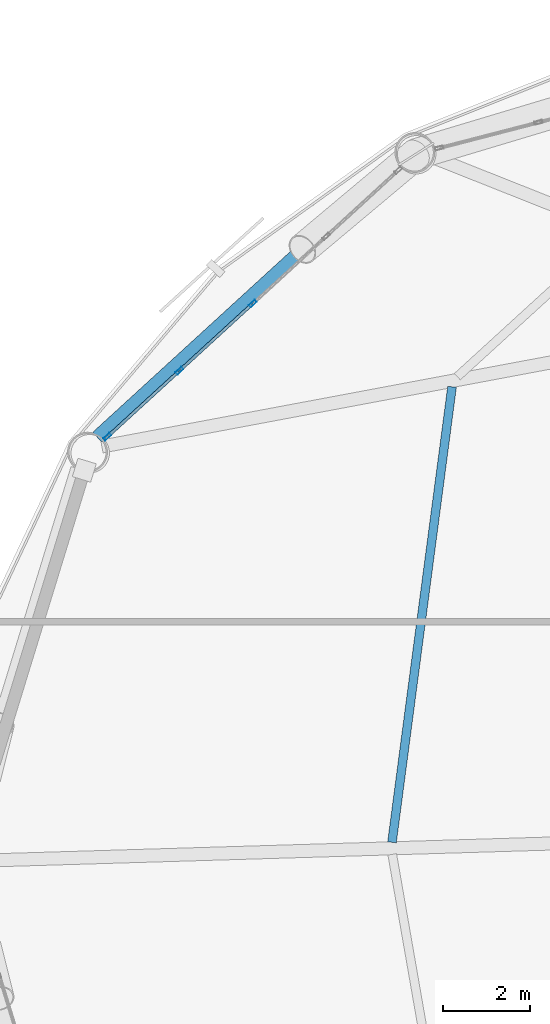
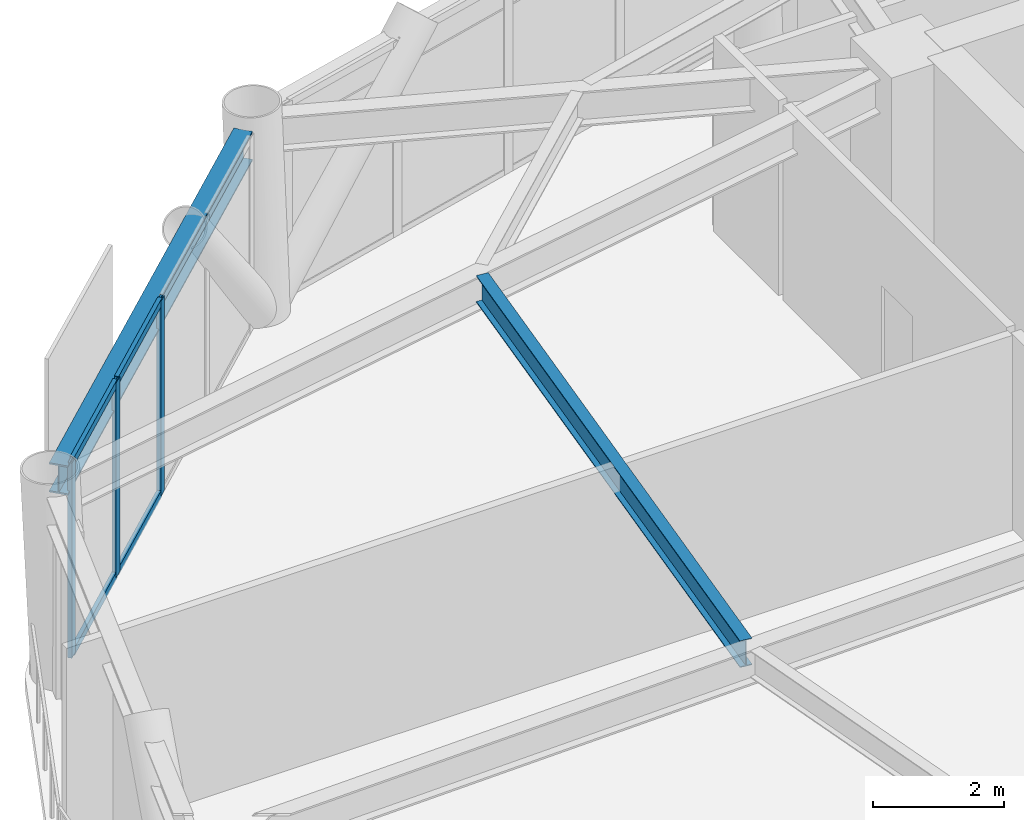
# One storey, part 12 of 25: 7 members, 2 beams, 1 element without a shape of its own.
"""IFC4 building model written with IfcOpenShell, lengths in metres."""

from ifc_helpers import new_model, si_unit, direction, frame, origin, origin_2d, place, context, subcontext, project, spatial, hollow_rectangle, i_section, extrude, material, layer, layer_set, material_profile, profile_set, type_object, element, aggregate, save


model = new_model("IFC4")

# Units and contexts
model_context = context("Model", 3, precision=1e-05, world=origin(), true_north=direction((0.0, 1.0)))
body_context = subcontext(model_context, "Body", "Model", "MODEL_VIEW")
ifc_project = project(units=[si_unit("LENGTHUNIT", "METRE"), si_unit("AREAUNIT", "SQUARE_METRE"), si_unit("VOLUMEUNIT", "CUBIC_METRE"), si_unit("PLANEANGLEUNIT", "RADIAN"), si_unit("MASSUNIT", "GRAM", prefix="KILO")], contexts=[model_context])

# Site, building, storey
site_placement = place(None, origin())
site = spatial("IfcSite", under=ifc_project, at=site_placement, CompositionType="ELEMENT")
building_placement = place(site_placement, origin())
building = spatial("IfcBuilding", under=site, at=building_placement, Name="Varnakorn Sky Granary", CompositionType="ELEMENT")
storey_placement = place(building_placement, frame((0.0, 0.0, 39.300048828125)))
storey = spatial("IfcBuildingStorey", under=building, at=storey_placement, Name="L09", CompositionType="ELEMENT", Elevation=39.300048828125)

# Beams
ifc_material_1 = material(Name="Steel S355JR", Category="steel")
ifc_material_profile_1 = material_profile(ifc_material_1, i_section(OverallWidth=0.199951171875, OverallDepth=0.5, WebThickness=0.01025390625, FlangeThickness=0.01611328125, at=origin_2d()), Name="IPE 500")
ifc_profile_set_1 = profile_set([ifc_material_profile_1], Name="Steel S355JR")
beam_type_1 = type_object("IfcBeamType", Name="BM-SEC-Z1", PredefinedType="BEAM", material=ifc_profile_set_1)
beam_1_placement = place(storey_placement, frame((-10.907958984375, 10.894287109375, 3.389892578125), z_axis=(-0.13073357993, -0.991417536197, 0.0), x_axis=(0.991417536197, -0.13073357993, 0.0)))
element("IfcBeam", 1, at=beam_1_placement, inside=storey, type_object=beam_type_1, Name="Secondary Floor Chord Beam MSB06 L09", PredefinedType="BEAM", context=body_context, shape_type="SweptSolid", body=[
    extrude(i_section(OverallWidth=0.199951171875, OverallDepth=0.5, WebThickness=0.01025390625, FlangeThickness=0.01611328125, at=origin_2d()), origin(), (0.0, 0.0, 1.0), 10.545654296875),
])
ifc_material_profile_2 = material_profile(ifc_material_1, i_section(OverallWidth=0.300048828125, OverallDepth=0.550048828125, WebThickness=0.014892578125, FlangeThickness=0.029052734375, at=origin_2d()), Name="HE 550 B")
ifc_profile_set_2 = profile_set([ifc_material_profile_2], Name="Steel S355JR")
beam_type_2 = type_object("IfcBeamType", Name="BM-SPD-Z1", PredefinedType="SPANDREL", material=ifc_profile_set_2)
beam_2_placement = place(storey_placement, frame((-12.149658203125, 16.0556640625, 3.364990234375), z_axis=(-0.737908523278, -0.674900741794, 0.0), x_axis=(0.674900741794, -0.737908523278, 0.0)))
element("IfcBeam", 2, at=beam_2_placement, inside=storey, type_object=beam_type_2, Name="Perimeter Spandrel Ring Beam RB05 L09", PredefinedType="SPANDREL", context=body_context, shape_type="SweptSolid", body=[
    extrude(i_section(OverallWidth=0.300048828125, OverallDepth=0.550048828125, WebThickness=0.014892578125, FlangeThickness=0.029052734375, at=origin_2d()), origin(), (0.0, 0.0, 1.0), 9.357666015625),
])

# Curtain wall, members
ifc_material_2 = material(Name="Anodised Bronze Aluminium Alloy 6063-T6", Category="aluminium")
ifc_layer = layer(ifc_material_2, 0.18994140625, Name="Anodised Bronze Aluminium Alloy 6063-T6")
ifc_layer_set = layer_set([ifc_layer], Name="Anodised Bronze Aluminium Alloy 6063-T6")
curtain_wall_type = type_object("IfcCurtainWallType", Name="CW-FRM-1", PredefinedType="USERDEFINED", material=ifc_layer_set)
curtain_wall_placement = place(storey_placement, origin())
curtain_wall = element("IfcCurtainWall", 3, at=curtain_wall_placement, inside=storey, type_object=curtain_wall_type, Name="Unitised Curtain Wall CW3 CW-L09-B05", ObjectType="CURTAIN WALL", PredefinedType="USERDEFINED")
ifc_material_profile_3 = material_profile(ifc_material_2, hollow_rectangle(XDim=0.070068359375, YDim=0.18505859375, WallThickness=0.00390625, at=origin_2d()), Name="ALU MULL 70x185")
ifc_profile_set_3 = profile_set([ifc_material_profile_3], Name="Anodised Bronze Aluminium Alloy 6063-T6")
member_type_1 = type_object("IfcMemberType", Name="CW-FRM-1-MULL", PredefinedType="MULLION", material=ifc_profile_set_3)
member_1_placement = place(storey_placement, frame((-18.8212890625, 9.746826171875, 0.0), z_axis=(0.0, 0.0, 1.0), x_axis=(-0.675388643465, 0.73746198565, 0.0)))
member_1 = element("IfcMember", 4, at=member_1_placement, type_object=member_type_1, Name="CW3 mullion 1", PredefinedType="MULLION", context=body_context, shape_type="SweptSolid", body=[
    extrude(hollow_rectangle(XDim=0.070068359375, YDim=0.18505859375, WallThickness=0.00390625, at=origin_2d()), origin(), (0.0, 0.0, 1.0), 3.639892578125),
])
member_2_placement = place(storey_placement, frame((-17.16455078125, 11.26416015625, 0.0), z_axis=(0.0, 0.0, 1.0), x_axis=(-0.675388643465, 0.73746198565, 0.0)))
member_2 = element("IfcMember", 5, at=member_2_placement, type_object=member_type_1, Name="CW3 mullion 2", PredefinedType="MULLION", context=body_context, shape_type="SweptSolid", body=[
    extrude(hollow_rectangle(XDim=0.070068359375, YDim=0.18505859375, WallThickness=0.00390625, at=origin_2d()), origin(), (0.0, 0.0, 1.0), 3.639892578125),
])
member_3_placement = place(storey_placement, frame((-15.48193359375, 12.80517578125, 0.0), z_axis=(0.0, 0.0, 1.0), x_axis=(-0.675388643465, 0.73746198565, 0.0)))
member_3 = element("IfcMember", 6, at=member_3_placement, type_object=member_type_1, Name="CW3 mullion 3", PredefinedType="MULLION", context=body_context, shape_type="SweptSolid", body=[
    extrude(hollow_rectangle(XDim=0.070068359375, YDim=0.18505859375, WallThickness=0.00390625, at=origin_2d()), origin(), (0.0, 0.0, 1.0), 3.639892578125),
])
ifc_material_profile_4 = material_profile(ifc_material_2, hollow_rectangle(XDim=0.070068359375, YDim=0.139892578125, WallThickness=0.00341796875, at=origin_2d()), Name="ALU TRAN 70x140")
ifc_profile_set_4 = profile_set([ifc_material_profile_4], Name="Anodised Bronze Aluminium Alloy 6063-T6")
member_type_2 = type_object("IfcMemberType", Name="CW-FRM-1-TRAN", PredefinedType="USERDEFINED", material=ifc_profile_set_4)
member_4_placement = place(storey_placement, frame((-18.79541015625, 9.7705078125, 0.034912109375), z_axis=(0.737442766501, 0.6754096284, 0.0), x_axis=(-0.6754096284, 0.737442766501, 0.0)))
member_4 = element("IfcMember", 7, at=member_4_placement, type_object=member_type_2, Name="CW3 transom 1.1", ObjectType="TRANSOM", PredefinedType="USERDEFINED", context=body_context, shape_type="SweptSolid", body=[
    extrude(hollow_rectangle(XDim=0.070068359375, YDim=0.139892578125, WallThickness=0.00341796875, at=origin_2d()), origin(), (0.0, 0.0, 1.0), 2.176513671875),
])
member_5_placement = place(storey_placement, frame((-18.79541015625, 9.7705078125, 3.60498046875), z_axis=(0.737442766501, 0.6754096284, 0.0), x_axis=(-0.6754096284, 0.737442766501, 0.0)))
member_5 = element("IfcMember", 8, at=member_5_placement, type_object=member_type_2, Name="CW3 transom 1.2", ObjectType="TRANSOM", PredefinedType="USERDEFINED", context=body_context, shape_type="SweptSolid", body=[
    extrude(hollow_rectangle(XDim=0.070068359375, YDim=0.139892578125, WallThickness=0.00341796875, at=origin_2d()), origin(), (0.0, 0.0, 1.0), 2.176513671875),
])
member_6_placement = place(storey_placement, frame((-17.138671875, 11.287841796875, 0.034912109375), z_axis=(0.737447350023, 0.675404623869, 0.0), x_axis=(-0.675404623869, 0.737447350023, 0.0)))
member_6 = element("IfcMember", 9, at=member_6_placement, type_object=member_type_2, Name="CW3 transom 2.1", ObjectType="TRANSOM", PredefinedType="USERDEFINED", context=body_context, shape_type="SweptSolid", body=[
    extrude(hollow_rectangle(XDim=0.070068359375, YDim=0.139892578125, WallThickness=0.00341796875, at=origin_2d()), origin(), (0.0, 0.0, 1.0), 2.21142578125),
])
member_7_placement = place(storey_placement, frame((-17.138671875, 11.287841796875, 3.60498046875), z_axis=(0.737447350023, 0.675404623869, 0.0), x_axis=(-0.675404623869, 0.737447350023, 0.0)))
member_7 = element("IfcMember", 10, at=member_7_placement, type_object=member_type_2, Name="CW3 transom 2.2", ObjectType="TRANSOM", PredefinedType="USERDEFINED", context=body_context, shape_type="SweptSolid", body=[
    extrude(hollow_rectangle(XDim=0.070068359375, YDim=0.139892578125, WallThickness=0.00341796875, at=origin_2d()), origin(), (0.0, 0.0, 1.0), 2.21142578125),
])
aggregate(curtain_wall, [member_1, member_2, member_3, member_4, member_5, member_6, member_7])

save(model, "model.ifc")
